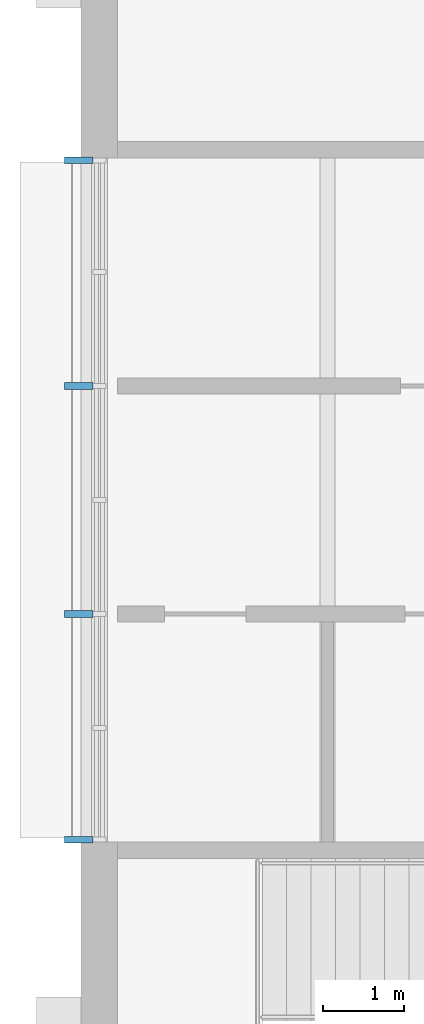
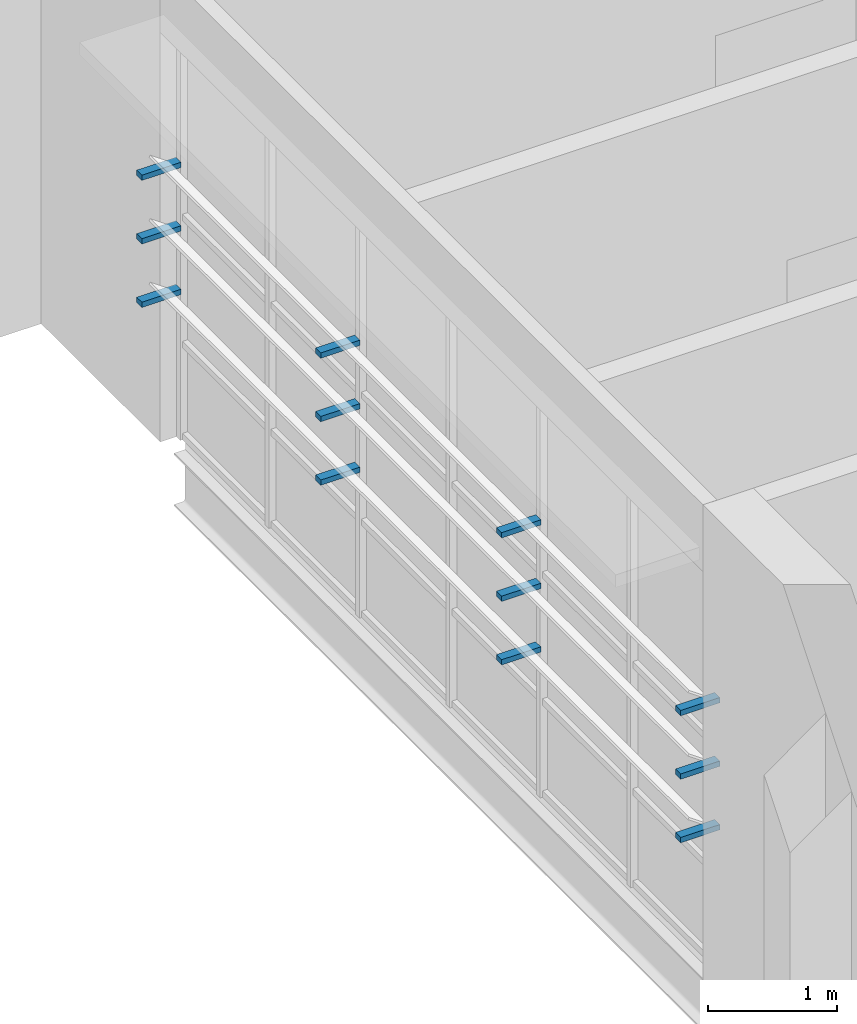
# One storey, part 105 of 121: 12 discrete accessories.
"""IFC4 building model written with IfcOpenShell, lengths in metres."""

from ifc_helpers import new_model, si_unit, direction, frame, origin, origin_2d, place, context, subcontext, project, spatial, rectangle, extrude, material, type_object, element, save


model = new_model("IFC4")

# Units and contexts
model_context = context("Model", 3, precision=1e-05, world=origin(), true_north=direction((0.0, 1.0)))
body_context = subcontext(model_context, "Body", "Model", "MODEL_VIEW")
ifc_project = project(units=[si_unit("LENGTHUNIT", "METRE"), si_unit("AREAUNIT", "SQUARE_METRE"), si_unit("VOLUMEUNIT", "CUBIC_METRE"), si_unit("PLANEANGLEUNIT", "RADIAN"), si_unit("MASSUNIT", "GRAM", prefix="KILO")], contexts=[model_context])

# Site, building, storey
site_placement = place(None, origin())
site = spatial("IfcSite", under=ifc_project, at=site_placement, CompositionType="ELEMENT")
building_placement = place(site_placement, origin())
building = spatial("IfcBuilding", under=site, at=building_placement, Name="Ardhachandra Cancer Care Centre", CompositionType="ELEMENT")
storey_placement = place(building_placement, frame((0.0, 0.0, 9.0)))
storey = spatial("IfcBuildingStorey", under=building, at=storey_placement, Name="L02", CompositionType="ELEMENT", Elevation=9.0)

# Discrete accessories
ifc_material = material(Name="Galvanised flat steel (Steel E250 (IS 2062))", Category="steel")
discrete_accessory_type = type_object("IfcDiscreteAccessoryType", Name="Louvre bracket 80 x 350", PredefinedType="BRACKET", material=ifc_material)
for number, where, z_axis, x_axis, name in (
    (1, (10.544921875, 79.830078125, 1.38427734375), (0.0, 0.0, 1.0), (0.0, 1.0, 0.0), "Louvre bracket L02/w/0010800_0079800 1.1"),
    (2, (10.544921875, 82.60009765625, 1.38427734375), (0.0, 0.0, 1.0), (0.0, 1.0, 0.0), "Louvre bracket L02/w/0010800_0079800 1.2"),
    (3, (10.544921875, 85.39990234375, 1.38427734375), (0.0, 0.0, 1.0), (0.0, 1.0, 0.0), "Louvre bracket L02/w/0010800_0079800 1.3"),
    (4, (10.544921875, 88.169921875, 1.38427734375), (0.0, 0.0, 1.0), (0.0, 1.0, 0.0), "Louvre bracket L02/w/0010800_0079800 1.4"),
    (5, (10.544921875, 79.830078125, 1.984375), (0.0, 0.0, 1.0), (0.0, 1.0, 0.0), "Louvre bracket L02/w/0010800_0079800 2.1"),
    (6, (10.544921875, 82.60009765625, 1.984375), (0.0, 0.0, 1.0), (0.0, 1.0, 0.0), "Louvre bracket L02/w/0010800_0079800 2.2"),
    (7, (10.544921875, 85.39990234375, 1.984375), (0.0, 0.0, 1.0), (0.0, 1.0, 0.0), "Louvre bracket L02/w/0010800_0079800 2.3"),
    (8, (10.544921875, 88.169921875, 1.984375), (0.0, 0.0, 1.0), (0.0, 1.0, 0.0), "Louvre bracket L02/w/0010800_0079800 2.4"),
    (9, (10.544921875, 79.830078125, 2.58447265625), (0.0, 0.0, 1.0), (0.0, 1.0, 0.0), "Louvre bracket L02/w/0010800_0079800 3.1"),
    (10, (10.544921875, 82.60009765625, 2.58447265625), (0.0, 0.0, 1.0), (0.0, 1.0, 0.0), "Louvre bracket L02/w/0010800_0079800 3.2"),
    (11, (10.544921875, 85.39990234375, 2.58447265625), (0.0, 0.0, 1.0), (0.0, 1.0, 0.0), "Louvre bracket L02/w/0010800_0079800 3.3"),
    (12, (10.544921875, 88.169921875, 2.58447265625), (0.0, 0.0, 1.0), (0.0, 1.0, 0.0), "Louvre bracket L02/w/0010800_0079800 3.4"),
):
    element("IfcDiscreteAccessory", number, at=place(storey_placement, frame(where, z_axis=z_axis, x_axis=x_axis)), inside=storey, type_object=discrete_accessory_type, Name=name, PredefinedType="BRACKET", context=body_context, shape_type="SweptSolid", body=[
        extrude(rectangle(XDim=0.080078125, YDim=0.35009765625, at=origin_2d()), origin(), (0.0, 0.0, 1.0), 0.050048828125),
    ])

save(model, "model.ifc")
